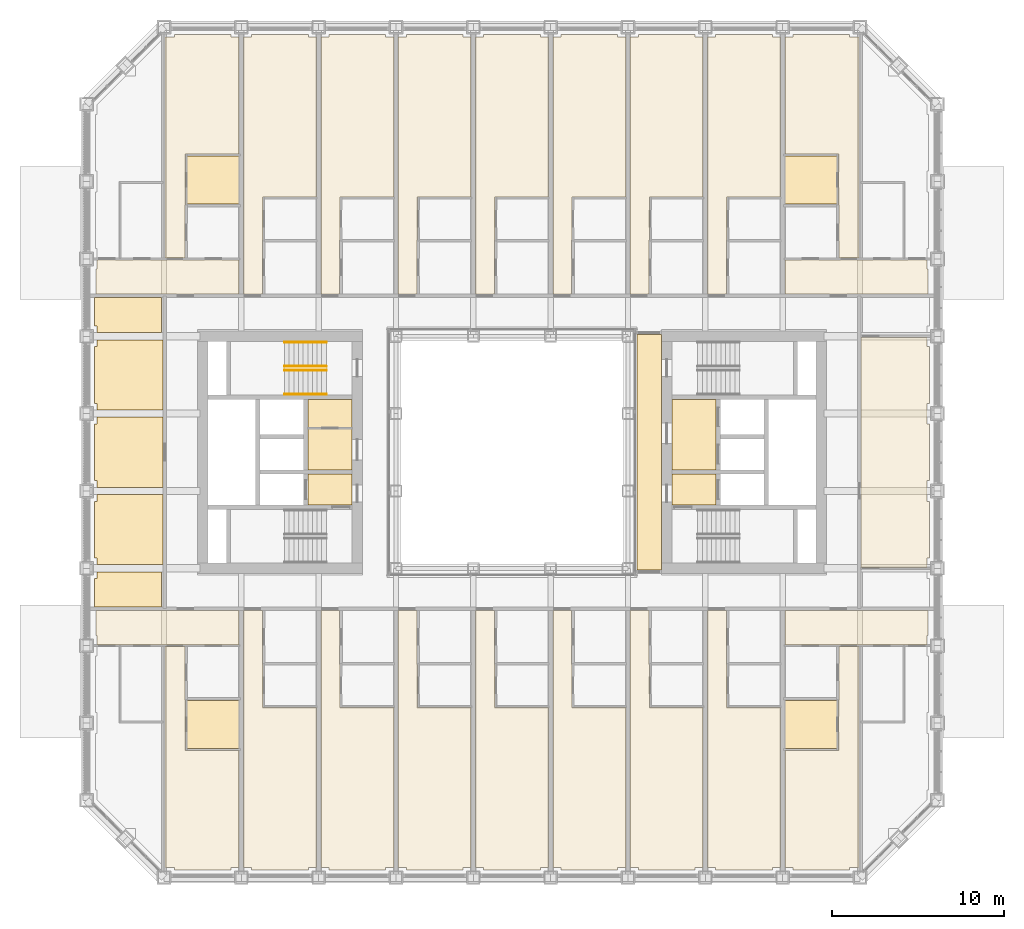
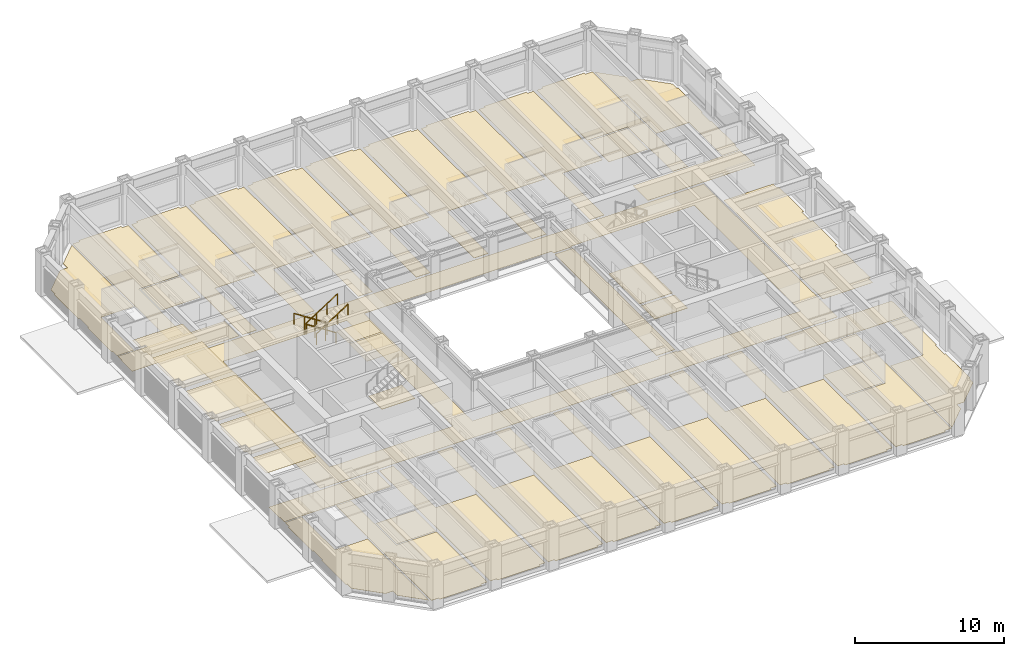
# One storey, part 21 of 24: 4 coverings, 4 railings.
"""IFC4 building model written with IfcOpenShell, lengths in metres."""

import ifcopenshell
import ifcopenshell.guid

model = None  # the IFC model being written
_history = None  # IfcOwnerHistory: only IFC2X3 demands one
_inside = {}  # id of a spatial element -> (the spatial element, [elements in it])
_under = {}  # id of a project, library or spatial element -> (it, [spatial elements below it])
_declared = {}  # id of a project -> (the project, [libraries it declares])
_typed = {}  # id of a type object -> (the type object, [elements of that type])
_made_of = {}  # id of a material, layer set ... -> (it, [elements and type objects made of it])


def new_model(schema):
    """Start an empty IFC model of exactly this schema.

    Asked for "IFC4X3", IfcOpenShell would pick the latest addendum, in which some entities
    have other attributes; the version numbers below select the first issue.
    IFC2X3 requires an IfcOwnerHistory on every rooted entity: one is made here for all.
    """
    global model, _history
    if schema == "IFC4X3":
        model = ifcopenshell.file(schema_version=(4, 3, 0, 0))
    else:
        model = ifcopenshell.file(schema=schema)
    _inside.clear()
    _under.clear()
    _declared.clear()
    _typed.clear()
    _made_of.clear()
    _history = None
    if model.schema == "IFC2X3":
        org = make("IfcOrganization", Name="unknown")
        user = make(
            "IfcPersonAndOrganization",
            ThePerson=make("IfcPerson", FamilyName="unknown"),
            TheOrganization=org,
        )
        app = make(
            "IfcApplication",
            ApplicationDeveloper=org,
            Version="unknown",
            ApplicationFullName="unknown",
            ApplicationIdentifier="unknown",
        )
        _history = make(
            "IfcOwnerHistory",
            OwningUser=user,
            OwningApplication=app,
            ChangeAction="ADDED",
            CreationDate=0,
        )
    return model


def make(cls, **values):
    """One entity of the class cls with the attributes given. An attribute that is None is left unset."""
    return model.create_entity(
        cls, **{name: value for name, value in values.items() if value is not None}
    )


def rooted(cls, **values):
    """An entity with a GlobalId (a new one), such as an element, a storey or a relation."""
    return make(cls, GlobalId=ifcopenshell.guid.new(), OwnerHistory=_history, **values)


def si_unit(unit_type, name, prefix=None):
    """IfcSIUnit, for example si_unit("LENGTHUNIT", "METRE", prefix="MILLI")."""
    return make("IfcSIUnit", UnitType=unit_type, Prefix=prefix, Name=name)


def assignment(units):
    """IfcUnitAssignment: the units of a project."""
    return None if units is None else make("IfcUnitAssignment", Units=units)


def point(xyz):
    """IfcCartesianPoint."""
    return None if xyz is None else make("IfcCartesianPoint", Coordinates=xyz)


def direction(xyz):
    """IfcDirection."""
    return None if xyz is None else make("IfcDirection", DirectionRatios=xyz)


def frame(location, z_axis=None, x_axis=None):
    """IfcAxis2Placement3D, a coordinate frame: its origin and axes. An axis left out is left unset."""
    return make(
        "IfcAxis2Placement3D",
        Location=point(location),
        Axis=direction(z_axis),
        RefDirection=direction(x_axis),
    )


def frame_2d(location, x_axis=None):
    """IfcAxis2Placement2D, a coordinate frame in the plane: its origin and x axis."""
    return make(
        "IfcAxis2Placement2D", Location=point(location), RefDirection=direction(x_axis)
    )


def origin():
    """The frame at (0, 0, 0) with its axes left unset."""
    return frame((0.0, 0.0, 0.0))


def origin_2d():
    """The frame at (0, 0) in the plane with its x axis left unset."""
    return frame_2d((0.0, 0.0))


def place(relative_to, where):
    """IfcLocalPlacement: puts the frame where relative to a parent placement (None: the world)."""
    return make(
        "IfcLocalPlacement", PlacementRelTo=relative_to, RelativePlacement=where
    )


def context(
    kind, dimensions, precision=None, world=None, true_north=None, identifier=None
):
    """IfcGeometricRepresentationContext, for example the 3D "Model" context."""
    return make(
        "IfcGeometricRepresentationContext",
        ContextIdentifier=identifier,
        ContextType=kind,
        CoordinateSpaceDimension=dimensions,
        Precision=precision,
        WorldCoordinateSystem=world,
        TrueNorth=true_north,
    )


def subcontext(parent, identifier, kind, view, scale=None):
    """IfcGeometricRepresentationSubContext, for example "Body" below "Model"."""
    return make(
        "IfcGeometricRepresentationSubContext",
        ContextIdentifier=identifier,
        ContextType=kind,
        ParentContext=parent,
        TargetScale=scale,
        TargetView=view,
    )


def project(units=None, contexts=None):
    """IfcProject with its units and contexts."""
    return rooted(
        "IfcProject",
        Name="project",
        RepresentationContexts=contexts,
        UnitsInContext=assignment(units),
    )


def spatial(cls, under=None, at=None, **own):
    """A site, building, storey or space (cls), placed at a placement, below another one or the project."""
    s = rooted(cls, ObjectPlacement=at, **own)
    if under is not None:
        _under.setdefault(under.id(), (under, []))[1].append(s)
    return s


def point_list(points):
    """IfcCartesianPointList2D or 3D."""
    cls = (
        "IfcCartesianPointList2D" if len(points[0]) == 2 else "IfcCartesianPointList3D"
    )
    return make(cls, CoordList=points)


def line(*indices):
    """IfcLineIndex: a straight run through numbered points of an indexed curve."""
    return model.create_entity("IfcLineIndex", indices)


def indexed_curve(points, segments=None, self_intersect=None):
    """IfcIndexedPolyCurve: lines and arcs through numbered points (the first is 1)."""
    return make(
        "IfcIndexedPolyCurve",
        Points=point_list(points),
        Segments=segments,
        SelfIntersect=self_intersect,
    )


def profile(cls, at=None, kind="AREA", **sizes):
    """A parametric profile (cls). Its sizes go by their IFC names, for example OverallWidth=200.0."""
    return make(cls, ProfileType=kind, Position=at, **sizes)


def circle(**sizes):
    """IfcCircleProfileDef."""
    return profile("IfcCircleProfileDef", **sizes)


def outline(outer, holes=None, kind="AREA"):
    """IfcArbitraryClosedProfileDef: a profile drawn as a closed curve; with holes, ...WithVoids."""
    if holes is None:
        return make("IfcArbitraryClosedProfileDef", ProfileType=kind, OuterCurve=outer)
    return make(
        "IfcArbitraryProfileDefWithVoids",
        ProfileType=kind,
        OuterCurve=outer,
        InnerCurves=holes,
    )


def extrude(swept, where, along, depth):
    """IfcExtrudedAreaSolid: the profile swept, set in the frame where, extruded along a direction by depth."""
    return make(
        "IfcExtrudedAreaSolid",
        SweptArea=swept,
        Position=where,
        ExtrudedDirection=direction(along),
        Depth=depth,
    )


def shape(context_of_items, identifier, shape_type, items):
    """IfcShapeRepresentation: the items that make up one representation, for example the "Body"."""
    return make(
        "IfcShapeRepresentation",
        ContextOfItems=context_of_items,
        RepresentationIdentifier=identifier,
        RepresentationType=shape_type,
        Items=items,
    )


def material(Name=None, Category=None):
    """IfcMaterial."""
    return make("IfcMaterial", Name=Name, Category=Category)


def layer(
    of_material, thickness, ventilated=None, Name=None, Category=None, Priority=None
):
    """IfcMaterialLayer: one layer of a wall or slab, of a material (None: an air gap)."""
    return make(
        "IfcMaterialLayer",
        Material=of_material,
        LayerThickness=thickness,
        IsVentilated=ventilated,
        Name=Name,
        Category=Category,
        Priority=Priority,
    )


def layer_set(layers, Name=None):
    """IfcMaterialLayerSet."""
    return make("IfcMaterialLayerSet", MaterialLayers=layers, LayerSetName=Name)


def made_of(thing, what):
    """Note that an element or type object is made of a material, layer set ...; save() writes the relation."""
    if what is not None:
        _made_of.setdefault(what.id(), (what, []))[1].append(thing)
    return thing


def type_object(cls, material=None, **own):
    """A type object (cls), such as IfcWallType, which elements share."""
    return made_of(rooted(cls, **own), material)


def element(
    cls,
    number,
    at=None,
    inside=None,
    cuts=None,
    type_object=None,
    material=None,
    context=None,
    identifier="Body",
    shape_type=None,
    held_by="IfcProductDefinitionShape",
    body=None,
    shapes=None,
    **own,
):
    """One element of the class cls, such as IfcWall. Its Tag is "e" and its number.

    at: its placement. inside: the storey or other place that contains it. cuts: it is an
    opening in that element (IfcRelVoidsElement). A single representation is given by context,
    identifier, shape_type and body (its items); several are given by shapes. held_by: the class
    of the entity that holds the representations. save() writes the other relations.
    """
    e = rooted(cls, Tag="e%d" % number, ObjectPlacement=at, **own)
    if body is not None:
        shapes = [shape(context, identifier, shape_type, body)]
    if shapes is not None:
        e.Representation = make(held_by, Representations=shapes)
    if inside is not None:
        _inside.setdefault(inside.id(), (inside, []))[1].append(e)
    if cuts is not None:
        rooted(
            "IfcRelVoidsElement", RelatingBuildingElement=cuts, RelatedOpeningElement=e
        )
    if type_object is not None:
        _typed.setdefault(type_object.id(), (type_object, []))[1].append(e)
    return made_of(e, material)


def aggregate(whole, parts):
    """IfcRelAggregates: a whole, such as a stair, and the parts it consists of."""
    return rooted("IfcRelAggregates", RelatingObject=whole, RelatedObjects=parts)


def save(model, path):
    """Write the relations noted so far, then the file.

    IfcRelAggregates (storeys below a building ...), IfcRelContainedInSpatialStructure (elements
    in a storey), IfcRelDefinesByType, IfcRelAssociatesMaterial and IfcRelDeclares: one each for
    every whole, place, type object, material and project.
    """
    for whole, parts in _under.values():
        aggregate(whole, parts)
    for where, things in _inside.values():
        rooted(
            "IfcRelContainedInSpatialStructure",
            RelatedElements=things,
            RelatingStructure=where,
        )
    for kind, things in _typed.values():
        rooted("IfcRelDefinesByType", RelatedObjects=things, RelatingType=kind)
    for what, things in _made_of.values():
        rooted("IfcRelAssociatesMaterial", RelatedObjects=things, RelatingMaterial=what)
    for by, libraries in _declared.values():
        rooted("IfcRelDeclares", RelatingContext=by, RelatedDefinitions=libraries)
    model.write(path)


model = new_model("IFC4")

# Units and contexts
model_context = context("Model", 3, precision=1e-05, world=origin(), true_north=direction((0.0, 1.0)))
body_context = subcontext(model_context, "Body", "Model", "MODEL_VIEW")
ifc_project = project(units=[si_unit("LENGTHUNIT", "METRE"), si_unit("AREAUNIT", "SQUARE_METRE"), si_unit("VOLUMEUNIT", "CUBIC_METRE"), si_unit("PLANEANGLEUNIT", "RADIAN"), si_unit("MASSUNIT", "GRAM", prefix="KILO")], contexts=[model_context])

# Site, building, storey
site_placement = place(None, origin())
site = spatial("IfcSite", under=ifc_project, at=site_placement, CompositionType="ELEMENT")
building_placement = place(site_placement, origin())
building = spatial("IfcBuilding", under=site, at=building_placement, Name="Msasa Ring Tower", CompositionType="ELEMENT")
storey_placement = place(building_placement, frame((0.0, 0.0, 26.5)))
storey = spatial("IfcBuildingStorey", under=building, at=storey_placement, Name="L05", CompositionType="ELEMENT", Elevation=26.5)

# Coverings
ifc_material_1 = material(Name="Mineral fibre ceiling tiles on an exposed steel grid", Category="steel")
ifc_layer_1 = layer(ifc_material_1, 0.02001953125)
ifc_layer_set_1 = layer_set([ifc_layer_1], Name="C3 ACOUSTIC MINERAL FIBRE TILE CEILING 20")
covering_type_1 = type_object("IfcCoveringType", Name="C3 ACOUSTIC MINERAL FIBRE TILE CEILING 20", PredefinedType="CEILING", material=ifc_layer_set_1)
covering_1_placement = place(storey_placement, frame((0.0, 0.0, 2.699951171875)))
element("IfcCovering", 1, at=covering_1_placement, inside=storey, type_object=covering_type_1, Name="Acoustic Mineral Fibre Tile Ceiling 20 L05", PredefinedType="CEILING", context=body_context, shape_type="SweptSolid", body=[
    extrude(outline(indexed_curve([(-24.299560546875, -8.99951171875), (-24.299560546875, -7.3505859375), (-24.1494140625, -7.3505859375), (-24.1494140625, -6.960693359375), (-20.404296875, -6.960693359375), (-20.404296875, -8.99951171875)], segments=[line(1, 2, 3, 4, 5, 6, 1)], self_intersect=False)), origin(), (0.0, 0.0, 1.0), 0.02001953125),
    extrude(outline(indexed_curve([(-24.299560546875, -2.8505859375), (-24.1494140625, -2.8505859375), (-24.1494140625, -2.460693359375), (-20.300537109375, -2.460693359375), (-20.300537109375, -6.539306640625), (-24.1494140625, -6.539306640625), (-24.1494140625, -6.1494140625), (-24.299560546875, -6.1494140625)], segments=[line(1, 2, 3, 4, 5, 6, 7, 8, 1)], self_intersect=False)), origin(), (0.0, 0.0, 1.0), 0.02001953125),
    extrude(outline(indexed_curve([(-24.299560546875, 1.6494140625), (-24.1494140625, 1.6494140625), (-24.1494140625, 2.039306640625), (-20.300537109375, 2.039306640625), (-20.300537109375, -2.039306640625), (-24.1494140625, -2.039306640625), (-24.1494140625, -1.6494140625), (-24.299560546875, -1.6494140625)], segments=[line(1, 2, 3, 4, 5, 6, 7, 8, 1)], self_intersect=False)), origin(), (0.0, 0.0, 1.0), 0.02001953125),
    extrude(outline(indexed_curve([(-24.299560546875, 6.1494140625), (-24.1494140625, 6.1494140625), (-24.1494140625, 6.539306640625), (-20.300537109375, 6.539306640625), (-20.300537109375, 2.460693359375), (-24.1494140625, 2.460693359375), (-24.1494140625, 2.8505859375), (-24.299560546875, 2.8505859375)], segments=[line(1, 2, 3, 4, 5, 6, 7, 8, 1)], self_intersect=False)), origin(), (0.0, 0.0, 1.0), 0.02001953125),
    extrude(outline(indexed_curve([(-24.299560546875, 8.99951171875), (-20.404296875, 8.99951171875), (-20.404296875, 6.960693359375), (-24.1494140625, 6.960693359375), (-24.1494140625, 7.3505859375), (-24.299560546875, 7.3505859375)], segments=[line(1, 2, 3, 4, 5, 6, 1)], self_intersect=False)), origin(), (0.0, 0.0, 1.0), 0.02001953125),
    extrude(outline(indexed_curve([(-9.300537109375, -1.0244140625), (-11.87451171875, -1.0244140625), (-11.87451171875, 1.344482421875), (-9.300537109375, 1.344482421875)], segments=[line(1, 2, 3, 4, 1)], self_intersect=False)), origin(), (0.0, 0.0, 1.0), 0.02001953125),
    extrude(outline(indexed_curve([(-9.300537109375, 1.45556640625), (-11.87451171875, 1.45556640625), (-11.87451171875, 3.074462890625), (-9.300537109375, 3.074462890625)], segments=[line(1, 2, 3, 4, 1)], self_intersect=False)), origin(), (0.0, 0.0, 1.0), 0.02001953125),
])
ifc_material_2 = material(Name="Honed granite tiles on a mortar bed", Category="masonry")
ifc_layer_2 = layer(ifc_material_2, 0.030029296875)
ifc_layer_set_2 = layer_set([ifc_layer_2], Name="F1 HONED GRANITE ON BEDDING 30")
covering_type_2 = type_object("IfcCoveringType", Name="F1 HONED GRANITE ON BEDDING 30", PredefinedType="FLOORING", material=ifc_layer_set_2)
covering_2_placement = place(storey_placement, origin())
element("IfcCovering", 2, at=covering_2_placement, inside=storey, type_object=covering_type_2, Name="Honed Granite On Bedding 30 L05", PredefinedType="FLOORING", context=body_context, shape_type="SweptSolid", body=[
    extrude(outline(indexed_curve([(-11.87451171875, -3.074462890625), (-11.87451171875, -1.275390625), (-9.300537109375, -1.275390625), (-9.300537109375, -3.074462890625)], segments=[line(1, 2, 3, 4, 1)], self_intersect=False)), origin(), (0.0, 0.0, 1.0), 0.030029296875),
    extrude(outline(indexed_curve([(7.280029296875, -6.849609375), (7.280029296875, 6.849609375), (8.699462890625, 6.849609375), (8.699462890625, -6.849609375)], segments=[line(1, 2, 3, 4, 1)], self_intersect=False)), origin(), (0.0, 0.0, 1.0), 0.030029296875),
    extrude(outline(indexed_curve([(9.300537109375, -3.074462890625), (9.300537109375, -1.275390625), (11.87451171875, -1.275390625), (11.87451171875, -3.074462890625)], segments=[line(1, 2, 3, 4, 1)], self_intersect=False)), origin(), (0.0, 0.0, 1.0), 0.030029296875),
    extrude(outline(indexed_curve([(9.300537109375, -1.0244140625), (9.300537109375, 3.074462890625), (11.87451171875, 3.074462890625), (11.87451171875, -1.0244140625)], segments=[line(1, 2, 3, 4, 1)], self_intersect=False)), origin(), (0.0, 0.0, 1.0), 0.030029296875),
])
ifc_material_3 = material(Name="Wool-blend carpet on felt underlay", Category="textile")
ifc_layer_3 = layer(ifc_material_3, 0.011962890625)
ifc_layer_set_3 = layer_set([ifc_layer_3], Name="F2 CARPET ON UNDERLAY 12")
covering_type_3 = type_object("IfcCoveringType", Name="F2 CARPET ON UNDERLAY 12", PredefinedType="FLOORING", material=ifc_layer_set_3)
covering_3_placement = place(storey_placement, origin())
element("IfcCovering", 3, at=covering_3_placement, inside=storey, type_object=covering_type_3, Name="Carpet On Underlay 12 L05", PredefinedType="FLOORING", context=body_context, shape_type="SweptSolid", body=[
    extrude(outline(indexed_curve([(-21.8994140625, -22.46337890625), (-21.8994140625, -21.8994140625), (-22.46337890625, -21.8994140625), (-24.1494140625, -20.21337890625), (-24.1494140625, -19.6494140625), (-24.239501953125, -19.6494140625), (-24.239501953125, -16.3505859375), (-24.1494140625, -16.3505859375), (-24.1494140625, -15.1494140625), (-24.239501953125, -15.1494140625), (-24.239501953125, -11.8505859375), (-24.1494140625, -11.8505859375), (-24.1494140625, -11.300537109375), (-22.8505859375, -11.300537109375), (-22.8505859375, -15.74267578125), (-20.310546875, -15.74267578125), (-20.310546875, -24.052490234375)], segments=[line(1, 2, 3, 4, 5, 6, 7, 8, 9, 10, 11, 12, 13, 14, 15, 16, 17, 1)], self_intersect=False)), origin(), (0.0, 0.0, 1.0), 0.011962890625),
    extrude(outline(indexed_curve([(-24.239501953125, 15.1494140625), (-24.1494140625, 15.1494140625), (-24.1494140625, 16.3505859375), (-24.239501953125, 16.3505859375), (-24.239501953125, 19.6494140625), (-24.1494140625, 19.6494140625), (-24.1494140625, 20.21337890625), (-22.46337890625, 21.8994140625), (-21.8994140625, 21.8994140625), (-21.8994140625, 22.46337890625), (-20.310546875, 24.052490234375), (-20.310546875, 15.74267578125), (-22.8505859375, 15.74267578125), (-22.8505859375, 11.300537109375), (-24.1494140625, 11.300537109375), (-24.1494140625, 11.8505859375), (-24.239501953125, 11.8505859375)], segments=[line(1, 2, 3, 4, 5, 6, 7, 8, 9, 10, 11, 12, 13, 14, 15, 16, 17, 1)], self_intersect=False)), origin(), (0.0, 0.0, 1.0), 0.011962890625),
    extrude(outline(indexed_curve([(-20.099609375, -8.99951171875), (-20.099609375, 8.99951171875), (20.099609375, 8.99951171875), (20.099609375, -8.99951171875)], segments=[line(1, 2, 3, 4, 1)], self_intersect=False), holes=[indexed_curve([(8.699462890625, -7.150390625), (18.300537109375, -7.150390625), (18.300537109375, 7.150390625), (8.699462890625, 7.150390625), (8.699462890625, 7.050537109375), (7.280029296875, 7.050537109375), (7.275390625, 7.275390625), (7.22998046875, 7.280029296875), (-7.275390625, 7.275390625), (-7.275390625, -7.275390625), (7.22998046875, -7.280029296875), (7.275390625, -7.275390625), (7.280029296875, -7.050537109375), (8.699462890625, -7.050537109375)], segments=[line(1, 2, 3, 4, 5, 6, 7, 8, 9, 10, 11, 12, 13, 14, 1)], self_intersect=False), indexed_curve([(-8.699462890625, 7.150390625), (-18.300537109375, 7.150390625), (-18.300537109375, -7.150390625), (-8.699462890625, -7.150390625)], segments=[line(1, 2, 3, 4, 1)], self_intersect=False)]), origin(), (0.0, 0.0, 1.0), 0.011962890625),
    extrude(outline(indexed_curve([(-18.8994140625, -14.430419921875), (-15.87548828125, -14.430419921875), (-15.87548828125, -17.2353515625), (-18.8994140625, -17.2353515625)], segments=[line(1, 2, 3, 4, 1)], self_intersect=False)), origin(), (0.0, 0.0, 1.0), 0.011962890625),
    extrude(outline(indexed_curve([(-18.8994140625, 17.2353515625), (-15.87548828125, 17.2353515625), (-15.87548828125, 14.430419921875), (-18.8994140625, 14.430419921875)], segments=[line(1, 2, 3, 4, 1)], self_intersect=False)), origin(), (0.0, 0.0, 1.0), 0.011962890625),
    extrude(outline(indexed_curve([(18.8994140625, -14.430419921875), (18.8994140625, -17.2353515625), (15.87548828125, -17.2353515625), (15.87548828125, -14.430419921875)], segments=[line(1, 2, 3, 4, 1)], self_intersect=False)), origin(), (0.0, 0.0, 1.0), 0.011962890625),
    extrude(outline(indexed_curve([(18.8994140625, 17.2353515625), (18.8994140625, 14.430419921875), (15.87548828125, 14.430419921875), (15.87548828125, 17.2353515625)], segments=[line(1, 2, 3, 4, 1)], self_intersect=False)), origin(), (0.0, 0.0, 1.0), 0.011962890625),
    extrude(outline(indexed_curve([(24.1494140625, -11.300537109375), (24.1494140625, -11.8505859375), (24.239501953125, -11.8505859375), (24.239501953125, -15.1494140625), (24.1494140625, -15.1494140625), (24.1494140625, -16.3505859375), (24.239501953125, -16.3505859375), (24.239501953125, -19.6494140625), (24.1494140625, -19.6494140625), (24.1494140625, -20.21337890625), (22.46337890625, -21.8994140625), (21.8994140625, -21.8994140625), (21.8994140625, -22.46337890625), (20.310546875, -24.052490234375), (20.310546875, -15.74267578125), (22.8505859375, -15.74267578125), (22.8505859375, -11.300537109375)], segments=[line(1, 2, 3, 4, 5, 6, 7, 8, 9, 10, 11, 12, 13, 14, 15, 16, 17, 1)], self_intersect=False)), origin(), (0.0, 0.0, 1.0), 0.011962890625),
    extrude(outline(indexed_curve([(24.239501953125, 16.3505859375), (24.1494140625, 16.3505859375), (24.1494140625, 15.1494140625), (24.239501953125, 15.1494140625), (24.239501953125, 11.8505859375), (24.1494140625, 11.8505859375), (24.1494140625, 11.300537109375), (22.8505859375, 11.300537109375), (22.8505859375, 15.74267578125), (20.310546875, 15.74267578125), (20.310546875, 24.052490234375), (21.8994140625, 22.46337890625), (21.8994140625, 21.8994140625), (22.46337890625, 21.8994140625), (24.1494140625, 20.21337890625), (24.1494140625, 19.6494140625), (24.239501953125, 19.6494140625)], segments=[line(1, 2, 3, 4, 5, 6, 7, 8, 9, 10, 11, 12, 13, 14, 15, 16, 17, 1)], self_intersect=False)), origin(), (0.0, 0.0, 1.0), 0.011962890625),
])
ifc_material_4 = material(Name="Engineered oak boards on an acoustic underlay", Category="wood")
ifc_layer_4 = layer(ifc_material_4, 0.01806640625)
ifc_layer_set_4 = layer_set([ifc_layer_4], Name="F3 ENGINEERED TIMBER ON ACOUSTIC UNDERLAY 18")
covering_type_4 = type_object("IfcCoveringType", Name="F3 ENGINEERED TIMBER ON ACOUSTIC UNDERLAY 18", PredefinedType="FLOORING", material=ifc_layer_set_4)
covering_4_placement = place(storey_placement, origin())
element("IfcCovering", 4, at=covering_4_placement, inside=storey, type_object=covering_type_4, Name="Engineered Timber On Acoustic Underlay 18 L05", PredefinedType="FLOORING", context=body_context, shape_type="SweptSolid", body=[
    extrude(outline(indexed_curve([(-15.87548828125, -9.200439453125), (-15.87548828125, -11.199462890625), (-24.1494140625, -11.199462890625), (-24.1494140625, -10.6494140625), (-24.199462890625, -10.6494140625), (-24.199462890625, -9.200439453125)], segments=[line(1, 2, 3, 4, 5, 6, 1)], self_intersect=False)), origin(), (0.0, 0.0, 1.0), 0.01806640625),
    extrude(outline(indexed_curve([(-24.199462890625, 9.200439453125), (-24.199462890625, 10.6494140625), (-24.1494140625, 10.6494140625), (-24.1494140625, 11.199462890625), (-15.87548828125, 11.199462890625), (-15.87548828125, 9.200439453125)], segments=[line(1, 2, 3, 4, 5, 6, 1)], self_intersect=False)), origin(), (0.0, 0.0, 1.0), 0.01806640625),
    extrude(outline(indexed_curve([(-20.189453125, -11.300537109375), (-19.025390625, -11.300537109375), (-19.025390625, -14.39990234375), (-19.00048828125, -14.39990234375), (-19.00048828125, -17.34130859375), (-15.87548828125, -17.34130859375), (-15.87548828125, -24.1494140625), (-16.3505859375, -24.1494140625), (-16.3505859375, -24.299560546875), (-19.6494140625, -24.299560546875), (-19.6494140625, -24.1494140625), (-20.189453125, -24.1494140625)], segments=[line(1, 2, 3, 4, 5, 6, 7, 8, 9, 10, 11, 12, 1)], self_intersect=False)), origin(), (0.0, 0.0, 1.0), 0.01806640625),
    extrude(outline(indexed_curve([(-20.189453125, 11.300537109375), (-20.189453125, 24.1494140625), (-19.6494140625, 24.1494140625), (-19.6494140625, 24.299560546875), (-16.3505859375, 24.299560546875), (-16.3505859375, 24.1494140625), (-15.87548828125, 24.1494140625), (-15.87548828125, 17.34130859375), (-19.00048828125, 17.34130859375), (-19.00048828125, 14.39990234375), (-19.025390625, 14.39990234375), (-19.025390625, 11.300537109375)], segments=[line(1, 2, 3, 4, 5, 6, 7, 8, 9, 10, 11, 12, 1)], self_intersect=False)), origin(), (0.0, 0.0, 1.0), 0.01806640625),
    extrude(outline(indexed_curve([(-14.525390625, -9.200439453125), (-14.525390625, -12.35009765625), (-14.50048828125, -12.35009765625), (-14.50048828125, -14.8505859375), (-11.37548828125, -14.8505859375), (-11.37548828125, -24.1494140625), (-11.8505859375, -24.1494140625), (-11.8505859375, -24.299560546875), (-15.1494140625, -24.299560546875), (-15.1494140625, -24.1494140625), (-15.62451171875, -24.1494140625), (-15.62451171875, -9.200439453125)], segments=[line(1, 2, 3, 4, 5, 6, 7, 8, 9, 10, 11, 12, 1)], self_intersect=False)), origin(), (0.0, 0.0, 1.0), 0.01806640625),
    extrude(outline(indexed_curve([(-11.8505859375, 24.299560546875), (-11.8505859375, 24.1494140625), (-11.37548828125, 24.1494140625), (-11.37548828125, 14.8505859375), (-14.50048828125, 14.8505859375), (-14.50048828125, 12.35009765625), (-14.525390625, 12.35009765625), (-14.525390625, 9.200439453125), (-15.62451171875, 9.200439453125), (-15.62451171875, 24.1494140625), (-15.1494140625, 24.1494140625), (-15.1494140625, 24.299560546875)], segments=[line(1, 2, 3, 4, 5, 6, 7, 8, 9, 10, 11, 12, 1)], self_intersect=False)), origin(), (0.0, 0.0, 1.0), 0.01806640625),
    extrude(outline(indexed_curve([(-10.025390625, -9.200439453125), (-10.025390625, -12.35009765625), (-10.00048828125, -12.35009765625), (-10.00048828125, -14.8505859375), (-6.87548828125, -14.8505859375), (-6.87548828125, -24.1494140625), (-7.3505859375, -24.1494140625), (-7.3505859375, -24.299560546875), (-10.6494140625, -24.299560546875), (-10.6494140625, -24.1494140625), (-11.12451171875, -24.1494140625), (-11.12451171875, -9.200439453125)], segments=[line(1, 2, 3, 4, 5, 6, 7, 8, 9, 10, 11, 12, 1)], self_intersect=False)), origin(), (0.0, 0.0, 1.0), 0.01806640625),
    extrude(outline(indexed_curve([(-7.3505859375, 24.299560546875), (-7.3505859375, 24.1494140625), (-6.87548828125, 24.1494140625), (-6.87548828125, 14.8505859375), (-10.00048828125, 14.8505859375), (-10.00048828125, 12.35009765625), (-10.025390625, 12.35009765625), (-10.025390625, 9.200439453125), (-11.12451171875, 9.200439453125), (-11.12451171875, 24.1494140625), (-10.6494140625, 24.1494140625), (-10.6494140625, 24.299560546875)], segments=[line(1, 2, 3, 4, 5, 6, 7, 8, 9, 10, 11, 12, 1)], self_intersect=False)), origin(), (0.0, 0.0, 1.0), 0.01806640625),
    extrude(outline(indexed_curve([(-5.525390625, -9.200439453125), (-5.525390625, -12.35009765625), (-5.50048828125, -12.35009765625), (-5.50048828125, -14.8505859375), (-2.37548828125, -14.8505859375), (-2.37548828125, -24.1494140625), (-2.8505859375, -24.1494140625), (-2.8505859375, -24.299560546875), (-6.1494140625, -24.299560546875), (-6.1494140625, -24.1494140625), (-6.62451171875, -24.1494140625), (-6.62451171875, -9.200439453125)], segments=[line(1, 2, 3, 4, 5, 6, 7, 8, 9, 10, 11, 12, 1)], self_intersect=False)), origin(), (0.0, 0.0, 1.0), 0.01806640625),
    extrude(outline(indexed_curve([(-2.8505859375, 24.299560546875), (-2.8505859375, 24.1494140625), (-2.37548828125, 24.1494140625), (-2.37548828125, 14.8505859375), (-5.50048828125, 14.8505859375), (-5.50048828125, 12.35009765625), (-5.525390625, 12.35009765625), (-5.525390625, 9.200439453125), (-6.62451171875, 9.200439453125), (-6.62451171875, 24.1494140625), (-6.1494140625, 24.1494140625), (-6.1494140625, 24.299560546875)], segments=[line(1, 2, 3, 4, 5, 6, 7, 8, 9, 10, 11, 12, 1)], self_intersect=False)), origin(), (0.0, 0.0, 1.0), 0.01806640625),
    extrude(outline(indexed_curve([(-1.025390625, -9.200439453125), (-1.025390625, -12.35009765625), (-1.00048828125, -12.35009765625), (-1.00048828125, -14.8505859375), (2.12451171875, -14.8505859375), (2.12451171875, -24.1494140625), (1.6494140625, -24.1494140625), (1.6494140625, -24.299560546875), (-1.6494140625, -24.299560546875), (-1.6494140625, -24.1494140625), (-2.12451171875, -24.1494140625), (-2.12451171875, -9.200439453125)], segments=[line(1, 2, 3, 4, 5, 6, 7, 8, 9, 10, 11, 12, 1)], self_intersect=False)), origin(), (0.0, 0.0, 1.0), 0.01806640625),
    extrude(outline(indexed_curve([(1.6494140625, 24.299560546875), (1.6494140625, 24.1494140625), (2.12451171875, 24.1494140625), (2.12451171875, 14.8505859375), (-1.00048828125, 14.8505859375), (-1.00048828125, 12.35009765625), (-1.025390625, 12.35009765625), (-1.025390625, 9.200439453125), (-2.12451171875, 9.200439453125), (-2.12451171875, 24.1494140625), (-1.6494140625, 24.1494140625), (-1.6494140625, 24.299560546875)], segments=[line(1, 2, 3, 4, 5, 6, 7, 8, 9, 10, 11, 12, 1)], self_intersect=False)), origin(), (0.0, 0.0, 1.0), 0.01806640625),
    extrude(outline(indexed_curve([(3.474609375, -9.200439453125), (3.474609375, -12.35009765625), (3.49951171875, -12.35009765625), (3.49951171875, -14.8505859375), (6.62451171875, -14.8505859375), (6.62451171875, -24.1494140625), (6.1494140625, -24.1494140625), (6.1494140625, -24.299560546875), (2.8505859375, -24.299560546875), (2.8505859375, -24.1494140625), (2.37548828125, -24.1494140625), (2.37548828125, -9.200439453125)], segments=[line(1, 2, 3, 4, 5, 6, 7, 8, 9, 10, 11, 12, 1)], self_intersect=False)), origin(), (0.0, 0.0, 1.0), 0.01806640625),
    extrude(outline(indexed_curve([(6.1494140625, 24.299560546875), (6.1494140625, 24.1494140625), (6.62451171875, 24.1494140625), (6.62451171875, 14.8505859375), (3.49951171875, 14.8505859375), (3.49951171875, 12.35009765625), (3.474609375, 12.35009765625), (3.474609375, 9.200439453125), (2.37548828125, 9.200439453125), (2.37548828125, 24.1494140625), (2.8505859375, 24.1494140625), (2.8505859375, 24.299560546875)], segments=[line(1, 2, 3, 4, 5, 6, 7, 8, 9, 10, 11, 12, 1)], self_intersect=False)), origin(), (0.0, 0.0, 1.0), 0.01806640625),
    extrude(outline(indexed_curve([(7.974609375, -9.200439453125), (7.974609375, -12.35009765625), (7.99951171875, -12.35009765625), (7.99951171875, -14.8505859375), (11.12451171875, -14.8505859375), (11.12451171875, -24.1494140625), (10.6494140625, -24.1494140625), (10.6494140625, -24.299560546875), (7.3505859375, -24.299560546875), (7.3505859375, -24.1494140625), (6.87548828125, -24.1494140625), (6.87548828125, -9.200439453125)], segments=[line(1, 2, 3, 4, 5, 6, 7, 8, 9, 10, 11, 12, 1)], self_intersect=False)), origin(), (0.0, 0.0, 1.0), 0.01806640625),
    extrude(outline(indexed_curve([(10.6494140625, 24.299560546875), (10.6494140625, 24.1494140625), (11.12451171875, 24.1494140625), (11.12451171875, 14.8505859375), (7.99951171875, 14.8505859375), (7.99951171875, 12.35009765625), (7.974609375, 12.35009765625), (7.974609375, 9.200439453125), (6.87548828125, 9.200439453125), (6.87548828125, 24.1494140625), (7.3505859375, 24.1494140625), (7.3505859375, 24.299560546875)], segments=[line(1, 2, 3, 4, 5, 6, 7, 8, 9, 10, 11, 12, 1)], self_intersect=False)), origin(), (0.0, 0.0, 1.0), 0.01806640625),
    extrude(outline(indexed_curve([(12.474609375, -9.200439453125), (12.474609375, -12.35009765625), (12.49951171875, -12.35009765625), (12.49951171875, -14.8505859375), (15.62451171875, -14.8505859375), (15.62451171875, -24.1494140625), (15.1494140625, -24.1494140625), (15.1494140625, -24.299560546875), (11.8505859375, -24.299560546875), (11.8505859375, -24.1494140625), (11.37548828125, -24.1494140625), (11.37548828125, -9.200439453125)], segments=[line(1, 2, 3, 4, 5, 6, 7, 8, 9, 10, 11, 12, 1)], self_intersect=False)), origin(), (0.0, 0.0, 1.0), 0.01806640625),
    extrude(outline(indexed_curve([(15.1494140625, 24.299560546875), (15.1494140625, 24.1494140625), (15.62451171875, 24.1494140625), (15.62451171875, 14.8505859375), (12.49951171875, 14.8505859375), (12.49951171875, 12.35009765625), (12.474609375, 12.35009765625), (12.474609375, 9.200439453125), (11.37548828125, 9.200439453125), (11.37548828125, 24.1494140625), (11.8505859375, 24.1494140625), (11.8505859375, 24.299560546875)], segments=[line(1, 2, 3, 4, 5, 6, 7, 8, 9, 10, 11, 12, 1)], self_intersect=False)), origin(), (0.0, 0.0, 1.0), 0.01806640625),
    extrude(outline(indexed_curve([(20.189453125, -24.1494140625), (19.6494140625, -24.1494140625), (19.6494140625, -24.299560546875), (16.3505859375, -24.299560546875), (16.3505859375, -24.1494140625), (15.87548828125, -24.1494140625), (15.87548828125, -17.34130859375), (19.00048828125, -17.34130859375), (19.00048828125, -14.39990234375), (19.025390625, -14.39990234375), (19.025390625, -11.300537109375), (20.189453125, -11.300537109375)], segments=[line(1, 2, 3, 4, 5, 6, 7, 8, 9, 10, 11, 12, 1)], self_intersect=False)), origin(), (0.0, 0.0, 1.0), 0.01806640625),
    extrude(outline(indexed_curve([(24.199462890625, -10.6494140625), (24.1494140625, -10.6494140625), (24.1494140625, -11.199462890625), (15.87548828125, -11.199462890625), (15.87548828125, -9.200439453125), (24.199462890625, -9.200439453125)], segments=[line(1, 2, 3, 4, 5, 6, 1)], self_intersect=False)), origin(), (0.0, 0.0, 1.0), 0.01806640625),
    extrude(outline(indexed_curve([(24.199462890625, 9.200439453125), (15.87548828125, 9.200439453125), (15.87548828125, 11.199462890625), (24.1494140625, 11.199462890625), (24.1494140625, 10.6494140625), (24.199462890625, 10.6494140625)], segments=[line(1, 2, 3, 4, 5, 6, 1)], self_intersect=False)), origin(), (0.0, 0.0, 1.0), 0.01806640625),
    extrude(outline(indexed_curve([(20.189453125, 11.300537109375), (19.025390625, 11.300537109375), (19.025390625, 14.39990234375), (19.00048828125, 14.39990234375), (19.00048828125, 17.34130859375), (15.87548828125, 17.34130859375), (15.87548828125, 24.1494140625), (16.3505859375, 24.1494140625), (16.3505859375, 24.299560546875), (19.6494140625, 24.299560546875), (19.6494140625, 24.1494140625), (20.189453125, 24.1494140625)], segments=[line(1, 2, 3, 4, 5, 6, 7, 8, 9, 10, 11, 12, 1)], self_intersect=False)), origin(), (0.0, 0.0, 1.0), 0.01806640625),
    extrude(outline(indexed_curve([(20.300537109375, 6.66943359375), (24.1494140625, 6.66943359375), (24.1494140625, 6.1494140625), (24.299560546875, 6.1494140625), (24.299560546875, 2.8505859375), (24.1494140625, 2.8505859375), (24.1494140625, 1.6494140625), (24.299560546875, 1.6494140625), (24.299560546875, -1.6494140625), (24.1494140625, -1.6494140625), (24.1494140625, -2.8505859375), (24.299560546875, -2.8505859375), (24.299560546875, -6.1494140625), (24.1494140625, -6.1494140625), (24.1494140625, -6.694580078125), (20.300537109375, -6.694580078125)], segments=[line(1, 2, 3, 4, 5, 6, 7, 8, 9, 10, 11, 12, 13, 14, 15, 16, 1)], self_intersect=False)), origin(), (0.0, 0.0, 1.0), 0.01806640625),
])

# Railings
ifc_material_5 = material(Name="Stainless steel", Category="steel")
railing_type = type_object("IfcRailingType", Name="HR1 HANDRAIL 900", PredefinedType="HANDRAIL", material=ifc_material_5)
for number, where, name in (
    (5, (-10.800048828125, 5.0, 0.175048828125), "Handrail stair SWB L05 1"),
    (6, (-10.800048828125, 6.39990234375, 0.175048828125), "Handrail stair SWB L05 2"),
):
    element("IfcRailing", number, at=place(storey_placement, frame(where)), inside=storey, type_object=railing_type, Name=name, PredefinedType="HANDRAIL", context=body_context, shape_type="SweptSolid", body=[
        extrude(circle(Radius=0.02392578125, at=origin_2d()), frame((0.0, 0.0, 0.8759765625), z_axis=(-0.839153699163, 0.0, 0.543894354798), x_axis=(0.0, -1.0, 0.0)), (0.0, 0.0, 1.0), 2.895751953125),
        extrude(circle(Radius=0.02099609375, at=origin_2d()), origin(), (0.0, 0.0, 1.0), 0.851806640625),
        extrude(circle(Radius=0.02099609375, at=origin_2d()), frame((-0.81005859375, 0.0, 0.52490234375)), (0.0, 0.0, 1.0), 0.851806640625),
        extrude(circle(Radius=0.02099609375, at=origin_2d()), frame((-1.619873046875, 0.0, 1.050048828125)), (0.0, 0.0, 1.0), 0.851806640625),
        extrude(circle(Radius=0.02099609375, at=origin_2d()), frame((-2.429931640625, 0.0, 1.574951171875)), (0.0, 0.0, 1.0), 0.851806640625),
    ])
for number, where, name in (
    (7, (-13.22998046875, 3.375, 1.925048828125), "Handrail stair SWB L05 3"),
    (8, (-13.22998046875, 4.77490234375, 1.925048828125), "Handrail stair SWB L05 4"),
):
    element("IfcRailing", number, at=place(storey_placement, frame(where)), inside=storey, type_object=railing_type, Name=name, PredefinedType="HANDRAIL", context=body_context, shape_type="SweptSolid", body=[
        extrude(circle(Radius=0.02392578125, at=origin_2d()), frame((0.0, 0.0, 0.8759765625), z_axis=(0.839153699163, 0.0, 0.543894354798), x_axis=(0.0, 1.0, 0.0)), (0.0, 0.0, 1.0), 2.895751953125),
        extrude(circle(Radius=0.02099609375, at=origin_2d()), origin(), (0.0, 0.0, 1.0), 0.851806640625),
        extrude(circle(Radius=0.02099609375, at=origin_2d()), frame((0.81005859375, 0.0, 0.52490234375)), (0.0, 0.0, 1.0), 0.851806640625),
        extrude(circle(Radius=0.02099609375, at=origin_2d()), frame((1.619873046875, 0.0, 1.050048828125)), (0.0, 0.0, 1.0), 0.851806640625),
        extrude(circle(Radius=0.02099609375, at=origin_2d()), frame((2.429931640625, 0.0, 1.574951171875)), (0.0, 0.0, 1.0), 0.851806640625),
    ])

save(model, "model.ifc")
